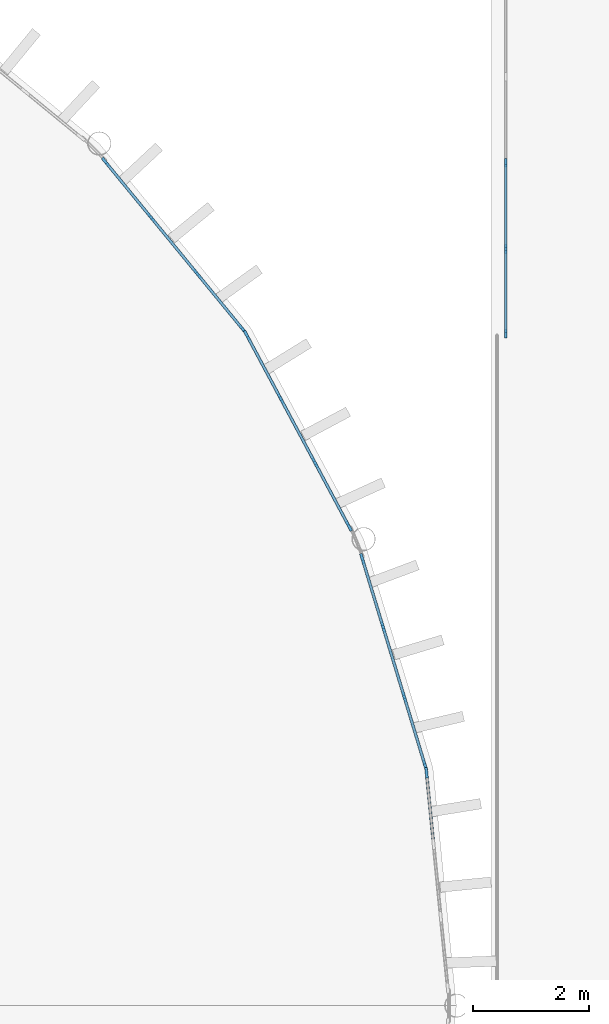
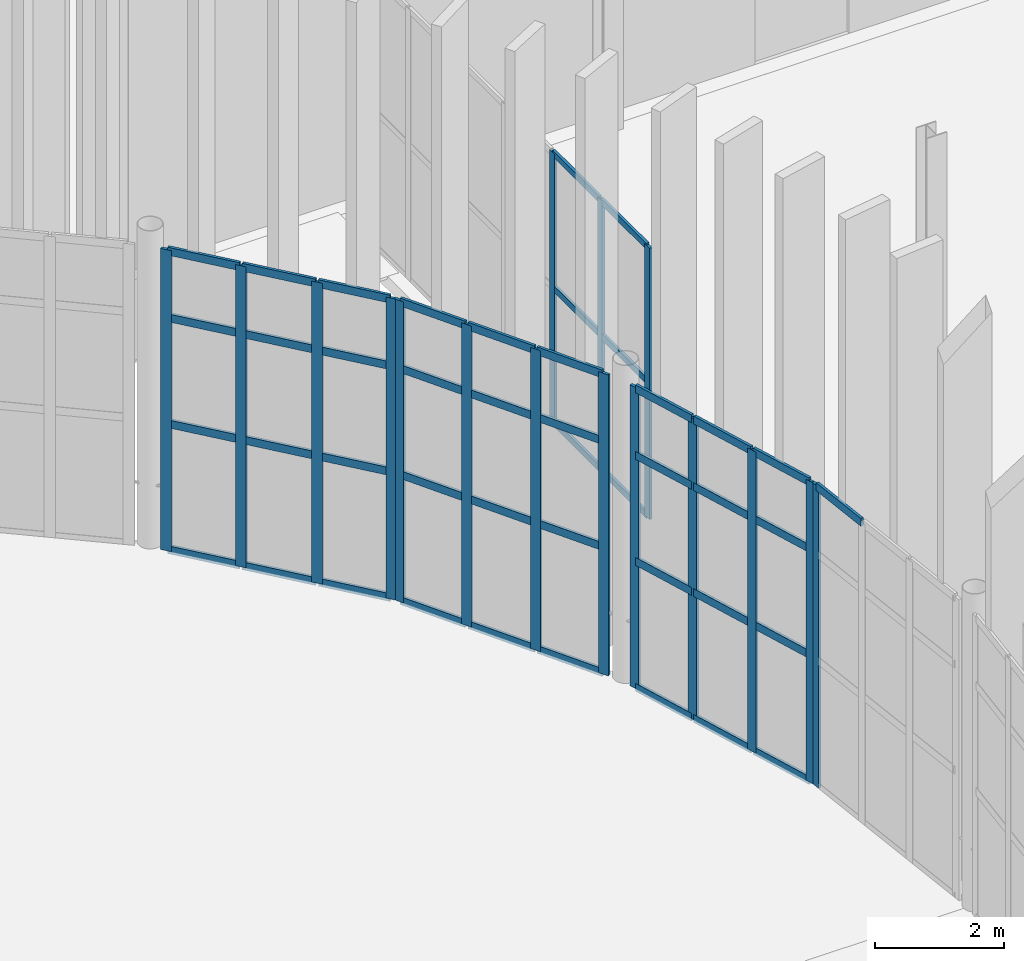
# One storey, part 59 of 139: 59 members, 5 elements without a shape of their own.
"""IFC4 building model written with IfcOpenShell, lengths in metres."""

from ifc_helpers import new_model, si_unit, direction, frame, origin, origin_2d, place, context, subcontext, project, spatial, rectangle, extrude, material, layer, layer_set, material_profile, profile_set, type_object, element, aggregate, save


model = new_model("IFC4")

# Units and contexts
model_context = context("Model", 3, precision=1e-05, world=origin(), true_north=direction((0.0, 1.0)))
body_context = subcontext(model_context, "Body", "Model", "MODEL_VIEW")
ifc_project = project(units=[si_unit("LENGTHUNIT", "METRE"), si_unit("AREAUNIT", "SQUARE_METRE"), si_unit("VOLUMEUNIT", "CUBIC_METRE"), si_unit("PLANEANGLEUNIT", "RADIAN"), si_unit("MASSUNIT", "GRAM", prefix="KILO")], contexts=[model_context])

# Site, building, storey
site_placement = place(None, origin())
site = spatial("IfcSite", under=ifc_project, at=site_placement, CompositionType="ELEMENT")
building_placement = place(site_placement, origin())
building = spatial("IfcBuilding", under=site, at=building_placement, Name="Yeouljin Market Hall", CompositionType="ELEMENT")
storey_placement = place(building_placement, origin())
storey = spatial("IfcBuildingStorey", under=building, at=storey_placement, Name="L00", CompositionType="ELEMENT", Elevation=0.0)

# Curtain wall, members
ifc_material_1 = material(Name="Thermally Broken Aluminium", Category="aluminium")
ifc_layer_1 = layer(ifc_material_1, 0.14990234375)
ifc_layer_set_1 = layer_set([ifc_layer_1], Name="Thermally Broken Aluminium")
curtain_wall_type_1 = type_object("IfcCurtainWallType", Name="CW_WingStorefront_System", PredefinedType="USERDEFINED", material=ifc_layer_set_1)
curtain_wall_1_placement = place(storey_placement, origin())
curtain_wall_1 = element("IfcCurtainWall", 1, at=curtain_wall_1_placement, inside=storey, type_object=curtain_wall_type_1, Name="Curtain wall CW-CRT-L00-14", ObjectType="CURTAIN WALL", PredefinedType="USERDEFINED")
ifc_material_2 = material(Name="Thermally Broken Aluminium", Category="aluminium")
ifc_material_profile_1 = material_profile(ifc_material_2, rectangle(XDim=0.048095703125, YDim=0.14990234375, at=origin_2d()), Name="CW-MULL-48x150")
ifc_profile_set_1 = profile_set([ifc_material_profile_1], Name="Thermally Broken Aluminium")
member_type_1 = type_object("IfcMemberType", Name="CWMullion_48x150", PredefinedType="MULLION", material=ifc_profile_set_1)
member_1_placement = place(storey_placement, frame((162.85009765625, 71.5166015625, 0.0), z_axis=(0.0, 0.0, 1.0), x_axis=(1.0, 0.0, 0.0)))
member_1 = element("IfcMember", 2, at=member_1_placement, type_object=member_type_1, Name="CW-04 mullion 5", PredefinedType="MULLION", context=body_context, shape_type="SweptSolid", body=[
    extrude(rectangle(XDim=0.048095703125, YDim=0.14990234375, at=origin_2d()), origin(), (0.0, 0.0, 1.0), 5.1201171875),
])
member_2_placement = place(storey_placement, frame((162.85009765625, 70.033447265625, 0.0), z_axis=(0.0, 0.0, 1.0), x_axis=(1.0, 0.0, 0.0)))
member_2 = element("IfcMember", 3, at=member_2_placement, type_object=member_type_1, Name="CW-04 mullion 6", PredefinedType="MULLION", context=body_context, shape_type="SweptSolid", body=[
    extrude(rectangle(XDim=0.048095703125, YDim=0.14990234375, at=origin_2d()), origin(), (0.0, 0.0, 1.0), 5.1201171875),
])
member_3_placement = place(storey_placement, frame((162.85009765625, 68.573974609375, 0.0), z_axis=(0.0, 0.0, 1.0), x_axis=(1.0, 0.0, 0.0)))
member_3 = element("IfcMember", 4, at=member_3_placement, type_object=member_type_1, Name="CW-04 mullion 7", PredefinedType="MULLION", context=body_context, shape_type="SweptSolid", body=[
    extrude(rectangle(XDim=0.048095703125, YDim=0.14990234375, at=origin_2d()), origin(), (0.0, 0.0, 1.0), 5.1201171875),
])

# Curtain wall, member
ifc_material_3 = material(Name="Thermally Broken Aluminium", Category="aluminium")
ifc_layer_2 = layer(ifc_material_3, 0.179931640625)
ifc_layer_set_2 = layer_set([ifc_layer_2], Name="Thermally Broken Aluminium")
curtain_wall_type_2 = type_object("IfcCurtainWallType", Name="CW_ApseCurved_System", PredefinedType="USERDEFINED", material=ifc_layer_set_2)
curtain_wall_2_placement = place(storey_placement, origin())
curtain_wall_2 = element("IfcCurtainWall", 5, at=curtain_wall_2_placement, inside=storey, type_object=curtain_wall_type_2, Name="Curtain wall CW-AP-EL00-09", ObjectType="CURTAIN WALL", PredefinedType="USERDEFINED")
ifc_material_4 = material(Name="Thermally Broken Aluminium", Category="aluminium")
ifc_material_profile_2 = material_profile(ifc_material_4, rectangle(XDim=0.048095703125, YDim=0.179931640625, at=origin_2d()), Name="CW-MULL-48x180")
ifc_profile_set_2 = profile_set([ifc_material_profile_2], Name="Thermally Broken Aluminium")
member_type_2 = type_object("IfcMemberType", Name="CWMullion_48x180", PredefinedType="MULLION", material=ifc_profile_set_2)
member_4_placement = place(storey_placement, frame((161.485107421875, 61.009765625, 0.0), z_axis=(0.0, 0.0, 1.0), x_axis=(0.995183051807, 0.09803414403, 0.0)))
member_4 = element("IfcMember", 6, at=member_4_placement, type_object=member_type_2, Name="CW-03 mullion 1", PredefinedType="MULLION", context=body_context, shape_type="SweptSolid", body=[
    extrude(rectangle(XDim=0.048095703125, YDim=0.179931640625, at=origin_2d()), origin(), (0.0, 0.0, 1.0), 5.679931640625),
])

# Curtain wall, members
curtain_wall_3_placement = place(storey_placement, origin())
curtain_wall_3 = element("IfcCurtainWall", 7, at=curtain_wall_3_placement, inside=storey, type_object=curtain_wall_type_2, Name="Curtain wall CW-AP-EL00-10", ObjectType="CURTAIN WALL", PredefinedType="USERDEFINED")
member_5_placement = place(storey_placement, frame((160.37890625, 64.699462890625, 0.0), z_axis=(0.0, 0.0, 1.0), x_axis=(0.95693988447, 0.290286164863, 0.0)))
member_5 = element("IfcMember", 8, at=member_5_placement, type_object=member_type_2, Name="CW-03 mullion 1", PredefinedType="MULLION", context=body_context, shape_type="SweptSolid", body=[
    extrude(rectangle(XDim=0.048095703125, YDim=0.179931640625, at=origin_2d()), origin(), (0.0, 0.0, 1.0), 5.679931640625),
])
member_6_placement = place(storey_placement, frame((160.737060546875, 63.51904296875, 0.0), z_axis=(0.0, 0.0, 1.0), x_axis=(0.95693988447, 0.290286164863, 0.0)))
member_6 = element("IfcMember", 9, at=member_6_placement, type_object=member_type_2, Name="CW-03 mullion 2", PredefinedType="MULLION", context=body_context, shape_type="SweptSolid", body=[
    extrude(rectangle(XDim=0.048095703125, YDim=0.179931640625, at=origin_2d()), origin(), (0.0, 0.0, 1.0), 5.679931640625),
])
member_7_placement = place(storey_placement, frame((161.10205078125, 62.3154296875, 0.0), z_axis=(0.0, 0.0, 1.0), x_axis=(0.95693988447, 0.290286164863, 0.0)))
member_7 = element("IfcMember", 10, at=member_7_placement, type_object=member_type_2, Name="CW-03 mullion 3", PredefinedType="MULLION", context=body_context, shape_type="SweptSolid", body=[
    extrude(rectangle(XDim=0.048095703125, YDim=0.179931640625, at=origin_2d()), origin(), (0.0, 0.0, 1.0), 5.679931640625),
])
member_8_placement = place(storey_placement, frame((161.460205078125, 61.134765625, 0.0), z_axis=(0.0, 0.0, 1.0), x_axis=(0.95693988447, 0.290286164863, 0.0)))
member_8 = element("IfcMember", 11, at=member_8_placement, type_object=member_type_2, Name="CW-03 mullion 4", PredefinedType="MULLION", context=body_context, shape_type="SweptSolid", body=[
    extrude(rectangle(XDim=0.048095703125, YDim=0.179931640625, at=origin_2d()), origin(), (0.0, 0.0, 1.0), 5.679931640625),
])

curtain_wall_4_placement = place(storey_placement, origin())
curtain_wall_4 = element("IfcCurtainWall", 12, at=curtain_wall_4_placement, inside=storey, type_object=curtain_wall_type_2, Name="Curtain wall CW-AP-EL00-11", ObjectType="CURTAIN WALL", PredefinedType="USERDEFINED")
member_9_placement = place(storey_placement, frame((158.391357421875, 68.5439453125, 0.0), z_axis=(0.0, 0.0, 1.0), x_axis=(0.881931478712, 0.471377626598, 0.0)))
member_9 = element("IfcMember", 13, at=member_9_placement, type_object=member_type_2, Name="CW-03 mullion 1", PredefinedType="MULLION", context=body_context, shape_type="SweptSolid", body=[
    extrude(rectangle(XDim=0.048095703125, YDim=0.179931640625, at=origin_2d()), origin(), (0.0, 0.0, 1.0), 5.679931640625),
])
member_10_placement = place(storey_placement, frame((158.972900390625, 67.455810546875, 0.0), z_axis=(0.0, 0.0, 1.0), x_axis=(0.881931478712, 0.471377626598, 0.0)))
member_10 = element("IfcMember", 14, at=member_10_placement, type_object=member_type_2, Name="CW-03 mullion 2", PredefinedType="MULLION", context=body_context, shape_type="SweptSolid", body=[
    extrude(rectangle(XDim=0.048095703125, YDim=0.179931640625, at=origin_2d()), origin(), (0.0, 0.0, 1.0), 5.679931640625),
])
member_11_placement = place(storey_placement, frame((159.565673828125, 66.346435546875, 0.0), z_axis=(0.0, 0.0, 1.0), x_axis=(0.881931478712, 0.471377626598, 0.0)))
member_11 = element("IfcMember", 15, at=member_11_placement, type_object=member_type_2, Name="CW-03 mullion 3", PredefinedType="MULLION", context=body_context, shape_type="SweptSolid", body=[
    extrude(rectangle(XDim=0.048095703125, YDim=0.179931640625, at=origin_2d()), origin(), (0.0, 0.0, 1.0), 5.679931640625),
])
member_12_placement = place(storey_placement, frame((160.147216796875, 65.258544921875, 0.0), z_axis=(0.0, 0.0, 1.0), x_axis=(0.881931478712, 0.471377626598, 0.0)))
member_12 = element("IfcMember", 16, at=member_12_placement, type_object=member_type_2, Name="CW-03 mullion 4", PredefinedType="MULLION", context=body_context, shape_type="SweptSolid", body=[
    extrude(rectangle(XDim=0.048095703125, YDim=0.179931640625, at=origin_2d()), origin(), (0.0, 0.0, 1.0), 5.679931640625),
])

curtain_wall_5_placement = place(storey_placement, origin())
curtain_wall_5 = element("IfcCurtainWall", 17, at=curtain_wall_5_placement, inside=storey, type_object=curtain_wall_type_2, Name="Curtain wall CW-AP-EL00-12", ObjectType="CURTAIN WALL", PredefinedType="USERDEFINED")
member_13_placement = place(storey_placement, frame((155.957275390625, 71.529541015625, 0.0), z_axis=(0.0, 0.0, 1.0), x_axis=(0.773017717982, 0.634384432096, 0.0)))
member_13 = element("IfcMember", 18, at=member_13_placement, type_object=member_type_2, Name="CW-03 mullion 1", PredefinedType="MULLION", context=body_context, shape_type="SweptSolid", body=[
    extrude(rectangle(XDim=0.048095703125, YDim=0.179931640625, at=origin_2d()), origin(), (0.0, 0.0, 1.0), 5.679931640625),
])
member_14_placement = place(storey_placement, frame((156.739990234375, 70.57568359375, 0.0), z_axis=(0.0, 0.0, 1.0), x_axis=(0.773017717982, 0.634384432096, 0.0)))
member_14 = element("IfcMember", 19, at=member_14_placement, type_object=member_type_2, Name="CW-03 mullion 2", PredefinedType="MULLION", context=body_context, shape_type="SweptSolid", body=[
    extrude(rectangle(XDim=0.048095703125, YDim=0.179931640625, at=origin_2d()), origin(), (0.0, 0.0, 1.0), 5.679931640625),
])
member_15_placement = place(storey_placement, frame((157.537841796875, 69.603515625, 0.0), z_axis=(0.0, 0.0, 1.0), x_axis=(0.773017717982, 0.634384432096, 0.0)))
member_15 = element("IfcMember", 20, at=member_15_placement, type_object=member_type_2, Name="CW-03 mullion 3", PredefinedType="MULLION", context=body_context, shape_type="SweptSolid", body=[
    extrude(rectangle(XDim=0.048095703125, YDim=0.179931640625, at=origin_2d()), origin(), (0.0, 0.0, 1.0), 5.679931640625),
])
member_16_placement = place(storey_placement, frame((158.320556640625, 68.649658203125, 0.0), z_axis=(0.0, 0.0, 1.0), x_axis=(0.773017717982, 0.634384432096, 0.0)))
member_16 = element("IfcMember", 21, at=member_16_placement, type_object=member_type_2, Name="CW-03 mullion 4", PredefinedType="MULLION", context=body_context, shape_type="SweptSolid", body=[
    extrude(rectangle(XDim=0.048095703125, YDim=0.179931640625, at=origin_2d()), origin(), (0.0, 0.0, 1.0), 5.679931640625),
])

# Member
ifc_material_5 = material(Name="Thermally Broken Aluminium", Category="aluminium")
ifc_material_profile_3 = material_profile(ifc_material_5, rectangle(XDim=0.048095703125, YDim=0.1201171875, at=origin_2d()), Name="CW-TRAN-48x120")
ifc_profile_set_3 = profile_set([ifc_material_profile_3], Name="Thermally Broken Aluminium")
member_type_3 = type_object("IfcMemberType", Name="CWTransom_48x120", PredefinedType="USERDEFINED", material=ifc_profile_set_3)
member_17_placement = place(storey_placement, frame((162.85009765625, 71.49267578125, 0.02392578125), z_axis=(0.0, -1.0, 0.0), x_axis=(1.0, 0.0, 0.0)))
member_17 = element("IfcMember", 22, at=member_17_placement, type_object=member_type_3, Name="CW-04 transom 5.1", ObjectType="TRANSOM", PredefinedType="USERDEFINED", context=body_context, shape_type="SweptSolid", body=[
    extrude(rectangle(XDim=0.048095703125, YDim=0.1201171875, at=origin_2d()), origin(), (0.0, 0.0, 1.0), 1.435302734375),
])

member_18_placement = place(storey_placement, frame((162.85009765625, 71.49267578125, 2.56005859375), z_axis=(0.0, -1.0, 0.0), x_axis=(1.0, 0.0, 0.0)))
member_18 = element("IfcMember", 23, at=member_18_placement, type_object=member_type_3, Name="CW-04 transom 5.2", ObjectType="TRANSOM", PredefinedType="USERDEFINED", context=body_context, shape_type="SweptSolid", body=[
    extrude(rectangle(XDim=0.048095703125, YDim=0.1201171875, at=origin_2d()), origin(), (0.0, 0.0, 1.0), 1.435302734375),
])

member_19_placement = place(storey_placement, frame((162.85009765625, 71.49267578125, 5.095947265625), z_axis=(0.0, -1.0, 0.0), x_axis=(1.0, 0.0, 0.0)))
member_19 = element("IfcMember", 24, at=member_19_placement, type_object=member_type_3, Name="CW-04 transom 5.3", ObjectType="TRANSOM", PredefinedType="USERDEFINED", context=body_context, shape_type="SweptSolid", body=[
    extrude(rectangle(XDim=0.048095703125, YDim=0.1201171875, at=origin_2d()), origin(), (0.0, 0.0, 1.0), 1.435302734375),
])

member_20_placement = place(storey_placement, frame((162.85009765625, 70.00927734375, 0.02392578125), z_axis=(0.0, -1.0, 0.0), x_axis=(1.0, 0.0, 0.0)))
member_20 = element("IfcMember", 25, at=member_20_placement, type_object=member_type_3, Name="CW-04 transom 6.1", ObjectType="TRANSOM", PredefinedType="USERDEFINED", context=body_context, shape_type="SweptSolid", body=[
    extrude(rectangle(XDim=0.048095703125, YDim=0.1201171875, at=origin_2d()), origin(), (0.0, 0.0, 1.0), 1.411376953125),
])

member_21_placement = place(storey_placement, frame((162.85009765625, 70.00927734375, 2.56005859375), z_axis=(0.0, -1.0, 0.0), x_axis=(1.0, 0.0, 0.0)))
member_21 = element("IfcMember", 26, at=member_21_placement, type_object=member_type_3, Name="CW-04 transom 6.2", ObjectType="TRANSOM", PredefinedType="USERDEFINED", context=body_context, shape_type="SweptSolid", body=[
    extrude(rectangle(XDim=0.048095703125, YDim=0.1201171875, at=origin_2d()), origin(), (0.0, 0.0, 1.0), 1.411376953125),
])

member_22_placement = place(storey_placement, frame((162.85009765625, 70.00927734375, 5.095947265625), z_axis=(0.0, -1.0, 0.0), x_axis=(1.0, 0.0, 0.0)))
member_22 = element("IfcMember", 27, at=member_22_placement, type_object=member_type_3, Name="CW-04 transom 6.3", ObjectType="TRANSOM", PredefinedType="USERDEFINED", context=body_context, shape_type="SweptSolid", body=[
    extrude(rectangle(XDim=0.048095703125, YDim=0.1201171875, at=origin_2d()), origin(), (0.0, 0.0, 1.0), 1.411376953125),
])

aggregate(curtain_wall_1, [member_1, member_2, member_3, member_17, member_18, member_19, member_20, member_21, member_22])

ifc_material_6 = material(Name="Thermally Broken Aluminium", Category="aluminium")
ifc_material_profile_4 = material_profile(ifc_material_6, rectangle(XDim=0.048095703125, YDim=0.14990234375, at=origin_2d()), Name="CW-TRAN-48x150")
ifc_profile_set_4 = profile_set([ifc_material_profile_4], Name="Thermally Broken Aluminium")
member_type_4 = type_object("IfcMemberType", Name="CWTransom_48x150", PredefinedType="USERDEFINED", material=ifc_profile_set_4)
member_23_placement = place(storey_placement, frame((161.4873046875, 60.98583984375, 5.656005859375), z_axis=(0.098219244733, -0.995164800405, 0.0), x_axis=(0.995164800405, 0.098219244733, 0.0)))
member_23 = element("IfcMember", 28, at=member_23_placement, type_object=member_type_4, Name="CW-03 transom 1.4", ObjectType="TRANSOM", PredefinedType="USERDEFINED", context=body_context, shape_type="SweptSolid", body=[
    extrude(rectangle(XDim=0.048095703125, YDim=0.14990234375, at=origin_2d()), origin(), (0.0, 0.0, 1.0), 1.185546875),
])

aggregate(curtain_wall_2, [member_4, member_23])

member_24_placement = place(storey_placement, frame((160.3857421875, 64.676513671875, 0.02392578125), z_axis=(0.290350291671, -0.95692042936, 0.0), x_axis=(0.95692042936, 0.290350291671, 0.0)))
member_24 = element("IfcMember", 29, at=member_24_placement, type_object=member_type_4, Name="CW-03 transom 1.1", ObjectType="TRANSOM", PredefinedType="USERDEFINED", context=body_context, shape_type="SweptSolid", body=[
    extrude(rectangle(XDim=0.048095703125, YDim=0.14990234375, at=origin_2d()), origin(), (0.0, 0.0, 1.0), 1.185546875),
])

member_25_placement = place(storey_placement, frame((160.3857421875, 64.676513671875, 2.39990234375), z_axis=(0.290350291671, -0.95692042936, 0.0), x_axis=(0.95692042936, 0.290350291671, 0.0)))
member_25 = element("IfcMember", 30, at=member_25_placement, type_object=member_type_4, Name="CW-03 transom 1.2", ObjectType="TRANSOM", PredefinedType="USERDEFINED", context=body_context, shape_type="SweptSolid", body=[
    extrude(rectangle(XDim=0.048095703125, YDim=0.14990234375, at=origin_2d()), origin(), (0.0, 0.0, 1.0), 1.185546875),
])

member_26_placement = place(storey_placement, frame((160.3857421875, 64.676513671875, 4.39990234375), z_axis=(0.290350291671, -0.95692042936, 0.0), x_axis=(0.95692042936, 0.290350291671, 0.0)))
member_26 = element("IfcMember", 31, at=member_26_placement, type_object=member_type_4, Name="CW-03 transom 1.3", ObjectType="TRANSOM", PredefinedType="USERDEFINED", context=body_context, shape_type="SweptSolid", body=[
    extrude(rectangle(XDim=0.048095703125, YDim=0.14990234375, at=origin_2d()), origin(), (0.0, 0.0, 1.0), 1.185546875),
])

member_27_placement = place(storey_placement, frame((160.3857421875, 64.676513671875, 5.656005859375), z_axis=(0.290350291671, -0.95692042936, 0.0), x_axis=(0.95692042936, 0.290350291671, 0.0)))
member_27 = element("IfcMember", 32, at=member_27_placement, type_object=member_type_4, Name="CW-03 transom 1.4", ObjectType="TRANSOM", PredefinedType="USERDEFINED", context=body_context, shape_type="SweptSolid", body=[
    extrude(rectangle(XDim=0.048095703125, YDim=0.14990234375, at=origin_2d()), origin(), (0.0, 0.0, 1.0), 1.185546875),
])

member_28_placement = place(storey_placement, frame((160.743896484375, 63.495849609375, 0.02392578125), z_axis=(0.29043870262, -0.956893599111, 0.0), x_axis=(0.956893599111, 0.29043870262, 0.0)))
member_28 = element("IfcMember", 33, at=member_28_placement, type_object=member_type_4, Name="CW-03 transom 2.1", ObjectType="TRANSOM", PredefinedType="USERDEFINED", context=body_context, shape_type="SweptSolid", body=[
    extrude(rectangle(XDim=0.048095703125, YDim=0.14990234375, at=origin_2d()), origin(), (0.0, 0.0, 1.0), 1.209716796875),
])

member_29_placement = place(storey_placement, frame((160.743896484375, 63.495849609375, 2.39990234375), z_axis=(0.29043870262, -0.956893599111, 0.0), x_axis=(0.956893599111, 0.29043870262, 0.0)))
member_29 = element("IfcMember", 34, at=member_29_placement, type_object=member_type_4, Name="CW-03 transom 2.2", ObjectType="TRANSOM", PredefinedType="USERDEFINED", context=body_context, shape_type="SweptSolid", body=[
    extrude(rectangle(XDim=0.048095703125, YDim=0.14990234375, at=origin_2d()), origin(), (0.0, 0.0, 1.0), 1.209716796875),
])

member_30_placement = place(storey_placement, frame((160.743896484375, 63.495849609375, 4.39990234375), z_axis=(0.29043870262, -0.956893599111, 0.0), x_axis=(0.956893599111, 0.29043870262, 0.0)))
member_30 = element("IfcMember", 35, at=member_30_placement, type_object=member_type_4, Name="CW-03 transom 2.3", ObjectType="TRANSOM", PredefinedType="USERDEFINED", context=body_context, shape_type="SweptSolid", body=[
    extrude(rectangle(XDim=0.048095703125, YDim=0.14990234375, at=origin_2d()), origin(), (0.0, 0.0, 1.0), 1.209716796875),
])

member_31_placement = place(storey_placement, frame((160.743896484375, 63.495849609375, 5.656005859375), z_axis=(0.29043870262, -0.956893599111, 0.0), x_axis=(0.956893599111, 0.29043870262, 0.0)))
member_31 = element("IfcMember", 36, at=member_31_placement, type_object=member_type_4, Name="CW-03 transom 2.4", ObjectType="TRANSOM", PredefinedType="USERDEFINED", context=body_context, shape_type="SweptSolid", body=[
    extrude(rectangle(XDim=0.048095703125, YDim=0.14990234375, at=origin_2d()), origin(), (0.0, 0.0, 1.0), 1.209716796875),
])

member_32_placement = place(storey_placement, frame((161.109130859375, 62.29248046875, 0.02392578125), z_axis=(0.290293088565, -0.956937784149, 0.0), x_axis=(0.956937784149, 0.290293088565, 0.0)))
member_32 = element("IfcMember", 37, at=member_32_placement, type_object=member_type_4, Name="CW-03 transom 3.1", ObjectType="TRANSOM", PredefinedType="USERDEFINED", context=body_context, shape_type="SweptSolid", body=[
    extrude(rectangle(XDim=0.048095703125, YDim=0.14990234375, at=origin_2d()), origin(), (0.0, 0.0, 1.0), 1.185791015625),
])

member_33_placement = place(storey_placement, frame((161.109130859375, 62.29248046875, 2.39990234375), z_axis=(0.290293088565, -0.956937784149, 0.0), x_axis=(0.956937784149, 0.290293088565, 0.0)))
member_33 = element("IfcMember", 38, at=member_33_placement, type_object=member_type_4, Name="CW-03 transom 3.2", ObjectType="TRANSOM", PredefinedType="USERDEFINED", context=body_context, shape_type="SweptSolid", body=[
    extrude(rectangle(XDim=0.048095703125, YDim=0.14990234375, at=origin_2d()), origin(), (0.0, 0.0, 1.0), 1.185791015625),
])

member_34_placement = place(storey_placement, frame((161.109130859375, 62.29248046875, 4.39990234375), z_axis=(0.290293088565, -0.956937784149, 0.0), x_axis=(0.956937784149, 0.290293088565, 0.0)))
member_34 = element("IfcMember", 39, at=member_34_placement, type_object=member_type_4, Name="CW-03 transom 3.3", ObjectType="TRANSOM", PredefinedType="USERDEFINED", context=body_context, shape_type="SweptSolid", body=[
    extrude(rectangle(XDim=0.048095703125, YDim=0.14990234375, at=origin_2d()), origin(), (0.0, 0.0, 1.0), 1.185791015625),
])

member_35_placement = place(storey_placement, frame((161.109130859375, 62.29248046875, 5.656005859375), z_axis=(0.290293088565, -0.956937784149, 0.0), x_axis=(0.956937784149, 0.290293088565, 0.0)))
member_35 = element("IfcMember", 40, at=member_35_placement, type_object=member_type_4, Name="CW-03 transom 3.4", ObjectType="TRANSOM", PredefinedType="USERDEFINED", context=body_context, shape_type="SweptSolid", body=[
    extrude(rectangle(XDim=0.048095703125, YDim=0.14990234375, at=origin_2d()), origin(), (0.0, 0.0, 1.0), 1.185791015625),
])

aggregate(curtain_wall_3, [member_5, member_6, member_7, member_8, member_24, member_25, member_26, member_27, member_28, member_29, member_30, member_31, member_32, member_33, member_34, member_35])

member_36_placement = place(storey_placement, frame((158.402587890625, 68.522705078125, 0.02392578125), z_axis=(0.471507041503, -0.881862296401, 0.0), x_axis=(0.881862296401, 0.471507041503, 0.0)))
member_36 = element("IfcMember", 41, at=member_36_placement, type_object=member_type_4, Name="CW-03 transom 1.1", ObjectType="TRANSOM", PredefinedType="USERDEFINED", context=body_context, shape_type="SweptSolid", body=[
    extrude(rectangle(XDim=0.048095703125, YDim=0.14990234375, at=origin_2d()), origin(), (0.0, 0.0, 1.0), 1.185791015625),
])

member_37_placement = place(storey_placement, frame((158.402587890625, 68.522705078125, 2.39990234375), z_axis=(0.471507041503, -0.881862296401, 0.0), x_axis=(0.881862296401, 0.471507041503, 0.0)))
member_37 = element("IfcMember", 42, at=member_37_placement, type_object=member_type_4, Name="CW-03 transom 1.2", ObjectType="TRANSOM", PredefinedType="USERDEFINED", context=body_context, shape_type="SweptSolid", body=[
    extrude(rectangle(XDim=0.048095703125, YDim=0.14990234375, at=origin_2d()), origin(), (0.0, 0.0, 1.0), 1.185791015625),
])

member_38_placement = place(storey_placement, frame((158.402587890625, 68.522705078125, 4.39990234375), z_axis=(0.471507041503, -0.881862296401, 0.0), x_axis=(0.881862296401, 0.471507041503, 0.0)))
member_38 = element("IfcMember", 43, at=member_38_placement, type_object=member_type_4, Name="CW-03 transom 1.3", ObjectType="TRANSOM", PredefinedType="USERDEFINED", context=body_context, shape_type="SweptSolid", body=[
    extrude(rectangle(XDim=0.048095703125, YDim=0.14990234375, at=origin_2d()), origin(), (0.0, 0.0, 1.0), 1.185791015625),
])

member_39_placement = place(storey_placement, frame((158.402587890625, 68.522705078125, 5.656005859375), z_axis=(0.471507041503, -0.881862296401, 0.0), x_axis=(0.881862296401, 0.471507041503, 0.0)))
member_39 = element("IfcMember", 44, at=member_39_placement, type_object=member_type_4, Name="CW-03 transom 1.4", ObjectType="TRANSOM", PredefinedType="USERDEFINED", context=body_context, shape_type="SweptSolid", body=[
    extrude(rectangle(XDim=0.048095703125, YDim=0.14990234375, at=origin_2d()), origin(), (0.0, 0.0, 1.0), 1.185791015625),
])

member_40_placement = place(storey_placement, frame((158.984130859375, 67.4345703125, 0.02392578125), z_axis=(0.471425984611, -0.881905630458, 0.0), x_axis=(0.881905630458, 0.471425984611, 0.0)))
member_40 = element("IfcMember", 45, at=member_40_placement, type_object=member_type_4, Name="CW-03 transom 2.1", ObjectType="TRANSOM", PredefinedType="USERDEFINED", context=body_context, shape_type="SweptSolid", body=[
    extrude(rectangle(XDim=0.048095703125, YDim=0.14990234375, at=origin_2d()), origin(), (0.0, 0.0, 1.0), 1.209716796875),
])

member_41_placement = place(storey_placement, frame((158.984130859375, 67.4345703125, 2.39990234375), z_axis=(0.471425984611, -0.881905630458, 0.0), x_axis=(0.881905630458, 0.471425984611, 0.0)))
member_41 = element("IfcMember", 46, at=member_41_placement, type_object=member_type_4, Name="CW-03 transom 2.2", ObjectType="TRANSOM", PredefinedType="USERDEFINED", context=body_context, shape_type="SweptSolid", body=[
    extrude(rectangle(XDim=0.048095703125, YDim=0.14990234375, at=origin_2d()), origin(), (0.0, 0.0, 1.0), 1.209716796875),
])

member_42_placement = place(storey_placement, frame((158.984130859375, 67.4345703125, 4.39990234375), z_axis=(0.471425984611, -0.881905630458, 0.0), x_axis=(0.881905630458, 0.471425984611, 0.0)))
member_42 = element("IfcMember", 47, at=member_42_placement, type_object=member_type_4, Name="CW-03 transom 2.3", ObjectType="TRANSOM", PredefinedType="USERDEFINED", context=body_context, shape_type="SweptSolid", body=[
    extrude(rectangle(XDim=0.048095703125, YDim=0.14990234375, at=origin_2d()), origin(), (0.0, 0.0, 1.0), 1.209716796875),
])

member_43_placement = place(storey_placement, frame((158.984130859375, 67.4345703125, 5.656005859375), z_axis=(0.471425984611, -0.881905630458, 0.0), x_axis=(0.881905630458, 0.471425984611, 0.0)))
member_43 = element("IfcMember", 48, at=member_43_placement, type_object=member_type_4, Name="CW-03 transom 2.4", ObjectType="TRANSOM", PredefinedType="USERDEFINED", context=body_context, shape_type="SweptSolid", body=[
    extrude(rectangle(XDim=0.048095703125, YDim=0.14990234375, at=origin_2d()), origin(), (0.0, 0.0, 1.0), 1.209716796875),
])

member_44_placement = place(storey_placement, frame((159.5771484375, 66.325439453125, 0.02392578125), z_axis=(0.471261307391, -0.881993639521, 0.0), x_axis=(0.881993639521, 0.471261307391, 0.0)))
member_44 = element("IfcMember", 49, at=member_44_placement, type_object=member_type_4, Name="CW-03 transom 3.1", ObjectType="TRANSOM", PredefinedType="USERDEFINED", context=body_context, shape_type="SweptSolid", body=[
    extrude(rectangle(XDim=0.048095703125, YDim=0.14990234375, at=origin_2d()), origin(), (0.0, 0.0, 1.0), 1.185791015625),
])

member_45_placement = place(storey_placement, frame((159.5771484375, 66.325439453125, 2.39990234375), z_axis=(0.471261307391, -0.881993639521, 0.0), x_axis=(0.881993639521, 0.471261307391, 0.0)))
member_45 = element("IfcMember", 50, at=member_45_placement, type_object=member_type_4, Name="CW-03 transom 3.2", ObjectType="TRANSOM", PredefinedType="USERDEFINED", context=body_context, shape_type="SweptSolid", body=[
    extrude(rectangle(XDim=0.048095703125, YDim=0.14990234375, at=origin_2d()), origin(), (0.0, 0.0, 1.0), 1.185791015625),
])

member_46_placement = place(storey_placement, frame((159.5771484375, 66.325439453125, 4.39990234375), z_axis=(0.471261307391, -0.881993639521, 0.0), x_axis=(0.881993639521, 0.471261307391, 0.0)))
member_46 = element("IfcMember", 51, at=member_46_placement, type_object=member_type_4, Name="CW-03 transom 3.3", ObjectType="TRANSOM", PredefinedType="USERDEFINED", context=body_context, shape_type="SweptSolid", body=[
    extrude(rectangle(XDim=0.048095703125, YDim=0.14990234375, at=origin_2d()), origin(), (0.0, 0.0, 1.0), 1.185791015625),
])

member_47_placement = place(storey_placement, frame((159.5771484375, 66.325439453125, 5.656005859375), z_axis=(0.471261307391, -0.881993639521, 0.0), x_axis=(0.881993639521, 0.471261307391, 0.0)))
member_47 = element("IfcMember", 52, at=member_47_placement, type_object=member_type_4, Name="CW-03 transom 3.4", ObjectType="TRANSOM", PredefinedType="USERDEFINED", context=body_context, shape_type="SweptSolid", body=[
    extrude(rectangle(XDim=0.048095703125, YDim=0.14990234375, at=origin_2d()), origin(), (0.0, 0.0, 1.0), 1.185791015625),
])

aggregate(curtain_wall_4, [member_9, member_10, member_11, member_12, member_36, member_37, member_38, member_39, member_40, member_41, member_42, member_43, member_44, member_45, member_46, member_47])

member_48_placement = place(storey_placement, frame((155.972412109375, 71.510986328125, 0.02392578125), z_axis=(0.634313456748, -0.773075959133, 0.0), x_axis=(0.773075959133, 0.634313456748, 0.0)))
member_48 = element("IfcMember", 53, at=member_48_placement, type_object=member_type_4, Name="CW-03 transom 1.1", ObjectType="TRANSOM", PredefinedType="USERDEFINED", context=body_context, shape_type="SweptSolid", body=[
    extrude(rectangle(XDim=0.048095703125, YDim=0.14990234375, at=origin_2d()), origin(), (0.0, 0.0, 1.0), 1.185791015625),
])

member_49_placement = place(storey_placement, frame((155.972412109375, 71.510986328125, 2.39990234375), z_axis=(0.634313456748, -0.773075959133, 0.0), x_axis=(0.773075959133, 0.634313456748, 0.0)))
member_49 = element("IfcMember", 54, at=member_49_placement, type_object=member_type_4, Name="CW-03 transom 1.2", ObjectType="TRANSOM", PredefinedType="USERDEFINED", context=body_context, shape_type="SweptSolid", body=[
    extrude(rectangle(XDim=0.048095703125, YDim=0.14990234375, at=origin_2d()), origin(), (0.0, 0.0, 1.0), 1.185791015625),
])

member_50_placement = place(storey_placement, frame((155.972412109375, 71.510986328125, 4.39990234375), z_axis=(0.634313456748, -0.773075959133, 0.0), x_axis=(0.773075959133, 0.634313456748, 0.0)))
member_50 = element("IfcMember", 55, at=member_50_placement, type_object=member_type_4, Name="CW-03 transom 1.3", ObjectType="TRANSOM", PredefinedType="USERDEFINED", context=body_context, shape_type="SweptSolid", body=[
    extrude(rectangle(XDim=0.048095703125, YDim=0.14990234375, at=origin_2d()), origin(), (0.0, 0.0, 1.0), 1.185791015625),
])

member_51_placement = place(storey_placement, frame((155.972412109375, 71.510986328125, 5.656005859375), z_axis=(0.634313456748, -0.773075959133, 0.0), x_axis=(0.773075959133, 0.634313456748, 0.0)))
member_51 = element("IfcMember", 56, at=member_51_placement, type_object=member_type_4, Name="CW-03 transom 1.4", ObjectType="TRANSOM", PredefinedType="USERDEFINED", context=body_context, shape_type="SweptSolid", body=[
    extrude(rectangle(XDim=0.048095703125, YDim=0.14990234375, at=origin_2d()), origin(), (0.0, 0.0, 1.0), 1.185791015625),
])

member_52_placement = place(storey_placement, frame((156.755126953125, 70.55712890625, 0.02392578125), z_axis=(0.634369190557, -0.773030225846, 0.0), x_axis=(0.773030225846, 0.634369190557, 0.0)))
member_52 = element("IfcMember", 57, at=member_52_placement, type_object=member_type_4, Name="CW-03 transom 2.1", ObjectType="TRANSOM", PredefinedType="USERDEFINED", context=body_context, shape_type="SweptSolid", body=[
    extrude(rectangle(XDim=0.048095703125, YDim=0.14990234375, at=origin_2d()), origin(), (0.0, 0.0, 1.0), 1.209716796875),
])

member_53_placement = place(storey_placement, frame((156.755126953125, 70.55712890625, 2.39990234375), z_axis=(0.634369190557, -0.773030225846, 0.0), x_axis=(0.773030225846, 0.634369190557, 0.0)))
member_53 = element("IfcMember", 58, at=member_53_placement, type_object=member_type_4, Name="CW-03 transom 2.2", ObjectType="TRANSOM", PredefinedType="USERDEFINED", context=body_context, shape_type="SweptSolid", body=[
    extrude(rectangle(XDim=0.048095703125, YDim=0.14990234375, at=origin_2d()), origin(), (0.0, 0.0, 1.0), 1.209716796875),
])

member_54_placement = place(storey_placement, frame((156.755126953125, 70.55712890625, 4.39990234375), z_axis=(0.634369190557, -0.773030225846, 0.0), x_axis=(0.773030225846, 0.634369190557, 0.0)))
member_54 = element("IfcMember", 59, at=member_54_placement, type_object=member_type_4, Name="CW-03 transom 2.3", ObjectType="TRANSOM", PredefinedType="USERDEFINED", context=body_context, shape_type="SweptSolid", body=[
    extrude(rectangle(XDim=0.048095703125, YDim=0.14990234375, at=origin_2d()), origin(), (0.0, 0.0, 1.0), 1.209716796875),
])

member_55_placement = place(storey_placement, frame((156.755126953125, 70.55712890625, 5.656005859375), z_axis=(0.634369190557, -0.773030225846, 0.0), x_axis=(0.773030225846, 0.634369190557, 0.0)))
member_55 = element("IfcMember", 60, at=member_55_placement, type_object=member_type_4, Name="CW-03 transom 2.4", ObjectType="TRANSOM", PredefinedType="USERDEFINED", context=body_context, shape_type="SweptSolid", body=[
    extrude(rectangle(XDim=0.048095703125, YDim=0.14990234375, at=origin_2d()), origin(), (0.0, 0.0, 1.0), 1.209716796875),
])

member_56_placement = place(storey_placement, frame((157.552978515625, 69.5849609375, 0.02392578125), z_axis=(0.634313456748, -0.773075959133, 0.0), x_axis=(0.773075959133, 0.634313456748, 0.0)))
member_56 = element("IfcMember", 61, at=member_56_placement, type_object=member_type_4, Name="CW-03 transom 3.1", ObjectType="TRANSOM", PredefinedType="USERDEFINED", context=body_context, shape_type="SweptSolid", body=[
    extrude(rectangle(XDim=0.048095703125, YDim=0.14990234375, at=origin_2d()), origin(), (0.0, 0.0, 1.0), 1.185791015625),
])

member_57_placement = place(storey_placement, frame((157.552978515625, 69.5849609375, 2.39990234375), z_axis=(0.634313456748, -0.773075959133, 0.0), x_axis=(0.773075959133, 0.634313456748, 0.0)))
member_57 = element("IfcMember", 62, at=member_57_placement, type_object=member_type_4, Name="CW-03 transom 3.2", ObjectType="TRANSOM", PredefinedType="USERDEFINED", context=body_context, shape_type="SweptSolid", body=[
    extrude(rectangle(XDim=0.048095703125, YDim=0.14990234375, at=origin_2d()), origin(), (0.0, 0.0, 1.0), 1.185791015625),
])

member_58_placement = place(storey_placement, frame((157.552978515625, 69.5849609375, 4.39990234375), z_axis=(0.634313456748, -0.773075959133, 0.0), x_axis=(0.773075959133, 0.634313456748, 0.0)))
member_58 = element("IfcMember", 63, at=member_58_placement, type_object=member_type_4, Name="CW-03 transom 3.3", ObjectType="TRANSOM", PredefinedType="USERDEFINED", context=body_context, shape_type="SweptSolid", body=[
    extrude(rectangle(XDim=0.048095703125, YDim=0.14990234375, at=origin_2d()), origin(), (0.0, 0.0, 1.0), 1.185791015625),
])

member_59_placement = place(storey_placement, frame((157.552978515625, 69.5849609375, 5.656005859375), z_axis=(0.634313456748, -0.773075959133, 0.0), x_axis=(0.773075959133, 0.634313456748, 0.0)))
member_59 = element("IfcMember", 64, at=member_59_placement, type_object=member_type_4, Name="CW-03 transom 3.4", ObjectType="TRANSOM", PredefinedType="USERDEFINED", context=body_context, shape_type="SweptSolid", body=[
    extrude(rectangle(XDim=0.048095703125, YDim=0.14990234375, at=origin_2d()), origin(), (0.0, 0.0, 1.0), 1.185791015625),
])

aggregate(curtain_wall_5, [member_13, member_14, member_15, member_16, member_48, member_49, member_50, member_51, member_52, member_53, member_54, member_55, member_56, member_57, member_58, member_59])

save(model, "model.ifc")
